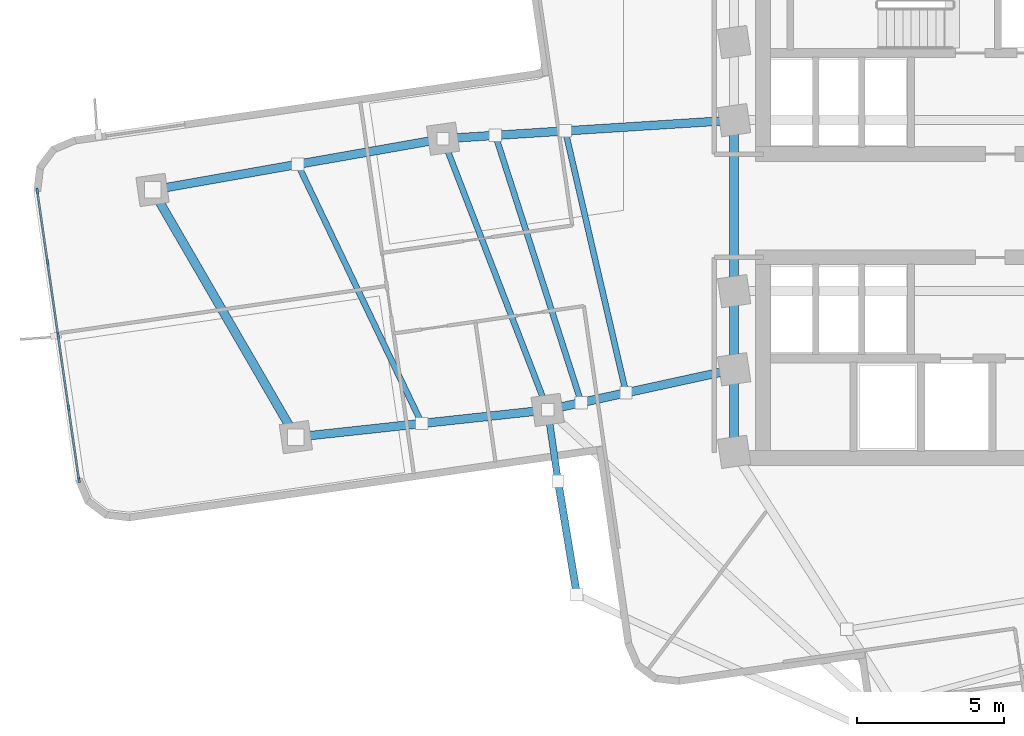
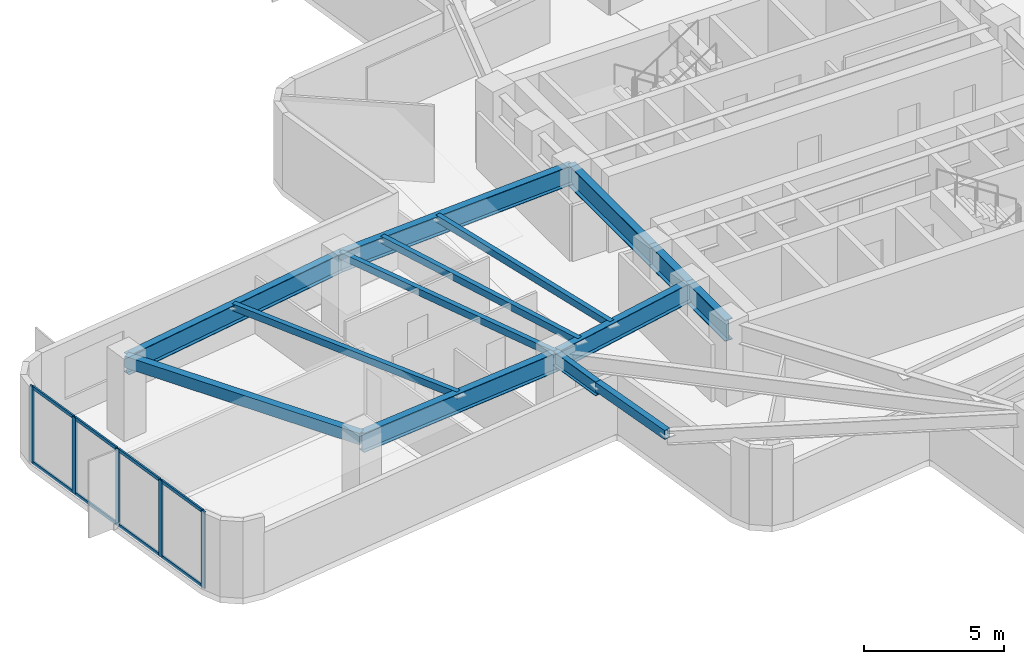
# One storey, part 2 of 13: 14 beams, 13 members, 1 element without a shape of its own.
"""IFC4 building model written with IfcOpenShell, lengths in metres."""

from ifc_helpers import new_model, si_unit, direction, frame, origin, origin_2d, place, context, subcontext, project, spatial, rectangle, hollow_rectangle, i_section, extrude, material, layer, layer_set, material_profile, profile_set, type_object, element, aggregate, save


model = new_model("IFC4")

# Units and contexts
model_context = context("Model", 3, precision=1e-05, world=origin(), true_north=direction((0.0, 1.0)))
body_context = subcontext(model_context, "Body", "Model", "MODEL_VIEW")
ifc_project = project(units=[si_unit("LENGTHUNIT", "METRE"), si_unit("AREAUNIT", "SQUARE_METRE"), si_unit("VOLUMEUNIT", "CUBIC_METRE"), si_unit("PLANEANGLEUNIT", "RADIAN"), si_unit("MASSUNIT", "GRAM", prefix="KILO")], contexts=[model_context])

# Site, building, storey
site_placement = place(None, origin())
site = spatial("IfcSite", under=ifc_project, at=site_placement, CompositionType="ELEMENT")
building_placement = place(site_placement, origin())
building = spatial("IfcBuilding", under=site, at=building_placement, Name="Solmarez Civic Tower", CompositionType="ELEMENT")
storey_placement = place(building_placement, frame((0.0, 0.0, 89.280029296875)))
storey = spatial("IfcBuildingStorey", under=building, at=storey_placement, Name="L23", CompositionType="ELEMENT", Elevation=89.280029296875)

# Beams
ifc_material_1 = material(Name="Steel S355", Category="steel")
ifc_material_profile_1 = material_profile(ifc_material_1, hollow_rectangle(XDim=0.199951171875, YDim=0.300048828125, WallThickness=0.011962890625, at=origin_2d()), Name="HSS300X200X12")
ifc_profile_set_1 = profile_set([ifc_material_profile_1], Name="Steel S355")
beam_type_1 = type_object("IfcBeamType", Name="BM-JS-HSS300X200", PredefinedType="JOIST", material=ifc_profile_set_1)
beam_1_placement = place(storey_placement, frame((-18.72412109375, 2.27099609375, 3.18994140625), z_axis=(0.359984466214, -0.932958297077, 0.0), x_axis=(0.932958297077, 0.359984466214, 0.0)))
element("IfcBeam", 1, at=beam_1_placement, inside=storey, type_object=beam_type_1, Name="L23 Secondary Floor Joist BM-L23-WA-T1", PredefinedType="JOIST", context=body_context, shape_type="SweptSolid", body=[
    extrude(hollow_rectangle(XDim=0.199951171875, YDim=0.300048828125, WallThickness=0.011962890625, at=origin_2d()), origin(), (0.0, 0.0, 1.0), 9.85888671875),
])
beam_2_placement = place(storey_placement, frame((-23.64990234375, 1.402099609375, 3.18994140625), z_axis=(0.431491843414, -0.902116837814, 0.0), x_axis=(0.902116837814, 0.431491843414, 0.0)))
element("IfcBeam", 2, at=beam_2_placement, inside=storey, type_object=beam_type_1, Name="L23 Secondary Floor Joist JS-L23-WA-M2", PredefinedType="JOIST", context=body_context, shape_type="SweptSolid", body=[
    extrude(hollow_rectangle(XDim=0.199951171875, YDim=0.300048828125, WallThickness=0.011962890625, at=origin_2d()), origin(), (0.0, 0.0, 1.0), 9.744873046875),
])
beam_3_placement = place(storey_placement, frame((-14.576904296875, 2.534912109375, 3.18994140625), z_axis=(0.225762717226, -0.974182321494, 0.0), x_axis=(0.974182321494, 0.225762717226, 0.0)))
element("IfcBeam", 3, at=beam_3_placement, inside=storey, type_object=beam_type_1, Name="L23 Secondary Floor Joist JS-L23-WA-M11", PredefinedType="JOIST", context=body_context, shape_type="SweptSolid", body=[
    extrude(hollow_rectangle(XDim=0.199951171875, YDim=0.300048828125, WallThickness=0.011962890625, at=origin_2d()), origin(), (0.0, 0.0, 1.0), 9.119384765625),
])
beam_4_placement = place(storey_placement, frame((-16.947021484375, 2.384033203125, 3.18994140625), z_axis=(0.305705295997, -0.952126184914, 0.0), x_axis=(0.952126184914, 0.305705295997, 0.0)))
element("IfcBeam", 4, at=beam_4_placement, inside=storey, type_object=beam_type_1, Name="L23 Secondary Floor Joist JS-L23-WA-M12", PredefinedType="JOIST", context=body_context, shape_type="SweptSolid", body=[
    extrude(hollow_rectangle(XDim=0.199951171875, YDim=0.300048828125, WallThickness=0.011962890625, at=origin_2d()), origin(), (0.0, 0.0, 1.0), 9.518798828125),
])
ifc_material_profile_2 = material_profile(ifc_material_1, i_section(OverallWidth=0.2919921875, OverallDepth=0.845947265625, WebThickness=0.015380859375, FlangeThickness=0.0244140625, at=origin_2d()), Name="W33X141")
ifc_profile_set_2 = profile_set([ifc_material_profile_2], Name="Steel S355")
beam_type_2 = type_object("IfcBeamType", Name="BM-PR-W33X141", PredefinedType="BEAM", material=ifc_profile_set_2)
beam_5_placement = place(storey_placement, frame((-8.85009765625, 2.89990234375, 2.9169921875), z_axis=(-0.997977751208, -0.063564204508, 0.0), x_axis=(0.063564204508, -0.997977751208, 0.0)))
element("IfcBeam", 5, at=beam_5_placement, inside=storey, type_object=beam_type_2, Name="L23 Primary Floor Beam BM-L23-WA-R1A", PredefinedType="BEAM", context=body_context, shape_type="SweptSolid", body=[
    extrude(i_section(OverallWidth=0.2919921875, OverallDepth=0.845947265625, WebThickness=0.015380859375, FlangeThickness=0.0244140625, at=origin_2d()), origin(), (0.0, 0.0, 1.0), 9.89404296875),
])
beam_6_placement = place(storey_placement, frame((-8.85009765625, -5.550048828125, 2.9169921875), z_axis=(-0.977113347202, -0.212719314402, 0.0), x_axis=(0.212719314402, -0.977113347202, 0.0)))
element("IfcBeam", 6, at=beam_6_placement, inside=storey, type_object=beam_type_2, Name="L23 Primary Floor Beam BM-L23-WA-R1B", PredefinedType="BEAM", context=body_context, shape_type="SweptSolid", body=[
    extrude(i_section(OverallWidth=0.2919921875, OverallDepth=0.845947265625, WebThickness=0.015380859375, FlangeThickness=0.0244140625, at=origin_2d()), origin(), (0.0, 0.0, 1.0), 6.47314453125),
])
beam_7_placement = place(storey_placement, frame((-18.72412109375, 2.27099609375, 2.9169921875), z_axis=(-0.984792402105, -0.173735214497, 0.0), x_axis=(0.173735214497, -0.984792402105, 0.0)))
element("IfcBeam", 7, at=beam_7_placement, inside=storey, type_object=beam_type_2, Name="L23 Primary Floor Beam BM-L23-WA-R2A", PredefinedType="BEAM", context=body_context, shape_type="SweptSolid", body=[
    extrude(i_section(OverallWidth=0.2919921875, OverallDepth=0.845947265625, WebThickness=0.015380859375, FlangeThickness=0.0244140625, at=origin_2d()), origin(), (0.0, 0.0, 1.0), 10.00390625),
])
beam_8_placement = place(storey_placement, frame((-15.175048828125, -6.927001953125, 2.9169921875), z_axis=(-0.994196782435, -0.107576753045, 0.0), x_axis=(0.107576753045, -0.994196782435, 0.0)))
element("IfcBeam", 8, at=beam_8_placement, inside=storey, type_object=beam_type_2, Name="L23 Primary Floor Beam BM-L23-WA-R2B", PredefinedType="BEAM", context=body_context, shape_type="SweptSolid", body=[
    extrude(i_section(OverallWidth=0.2919921875, OverallDepth=0.845947265625, WebThickness=0.015380859375, FlangeThickness=0.0244140625, at=origin_2d()), origin(), (0.0, 0.0, 1.0), 8.58984375),
])
ifc_material_profile_3 = material_profile(ifc_material_1, i_section(OverallWidth=0.306884765625, OverallDepth=0.927001953125, WebThickness=0.019287109375, FlangeThickness=0.031982421875, at=origin_2d()), Name="W36X194")
ifc_profile_set_3 = profile_set([ifc_material_profile_3], Name="Steel S355")
beam_type_3 = type_object("IfcBeamType", Name="BM-PR-W36X194", PredefinedType="BEAM", material=ifc_profile_set_3)
beam_9_placement = place(storey_placement, frame((-8.85009765625, -8.35009765625, 2.876953125), z_axis=(0.0, 1.0, 0.0), x_axis=(-1.0, 0.0, 0.0)))
element("IfcBeam", 9, at=beam_9_placement, inside=storey, type_object=beam_type_3, Name="L23 Primary Floor Beam BM-L23-HC12-HC1", PredefinedType="BEAM", context=body_context, shape_type="SweptSolid", body=[
    extrude(i_section(OverallWidth=0.306884765625, OverallDepth=0.927001953125, WebThickness=0.019287109375, FlangeThickness=0.031982421875, at=origin_2d()), origin(), (0.0, 0.0, 1.0), 2.800048828125),
])
beam_10_placement = place(storey_placement, frame((-8.85009765625, -5.550048828125, 2.876953125), z_axis=(0.0, 1.0, 0.0), x_axis=(-1.0, 0.0, 0.0)))
element("IfcBeam", 10, at=beam_10_placement, inside=storey, type_object=beam_type_3, Name="L23 Primary Floor Beam BM-L23-HC1-HC2", PredefinedType="BEAM", context=body_context, shape_type="SweptSolid", body=[
    extrude(i_section(OverallWidth=0.306884765625, OverallDepth=0.927001953125, WebThickness=0.019287109375, FlangeThickness=0.031982421875, at=origin_2d()), origin(), (0.0, 0.0, 1.0), 2.650146484375),
])
beam_11_placement = place(storey_placement, frame((-8.85009765625, -2.89990234375, 2.876953125), z_axis=(0.0, 1.0, 0.0), x_axis=(-1.0, 0.0, 0.0)))
element("IfcBeam", 11, at=beam_11_placement, inside=storey, type_object=beam_type_3, Name="L23 Primary Floor Beam BM-L23-HC2-HC3", PredefinedType="BEAM", context=body_context, shape_type="SweptSolid", body=[
    extrude(i_section(OverallWidth=0.306884765625, OverallDepth=0.927001953125, WebThickness=0.019287109375, FlangeThickness=0.031982421875, at=origin_2d()), origin(), (0.0, 0.0, 1.0), 5.7998046875),
])
ifc_material_profile_4 = material_profile(ifc_material_1, hollow_rectangle(XDim=0.25, YDim=0.39990234375, WallThickness=0.01611328125, at=origin_2d()), Name="HSS400X250X16")
ifc_profile_set_4 = profile_set([ifc_material_profile_4], Name="Steel S355")
beam_type_4 = type_object("IfcBeamType", Name="BM-SP-HSS400X250", PredefinedType="SPANDREL", material=ifc_profile_set_4)
beam_12_placement = place(storey_placement, frame((-14.822998046875, -9.345947265625, 3.139892578125), z_axis=(0.163302678934, -0.986576015851, 0.0), x_axis=(0.986576015851, 0.163302678934, 0.0)))
element("IfcBeam", 12, at=beam_12_placement, inside=storey, type_object=beam_type_4, Name="L23 Perimeter Spandrel Beam BM-L23-BALC-SWE", PredefinedType="SPANDREL", context=body_context, shape_type="SweptSolid", body=[
    extrude(hollow_rectangle(XDim=0.25, YDim=0.39990234375, WallThickness=0.01611328125, at=origin_2d()), origin(), (0.0, 0.0, 1.0), 3.900390625),
])
ifc_material_profile_5 = material_profile(ifc_material_1, hollow_rectangle(XDim=0.300048828125, YDim=0.5, WallThickness=0.02001953125, at=origin_2d()), Name="HSS500X300X20")
ifc_profile_set_5 = profile_set([ifc_material_profile_5], Name="Steel S355")
beam_type_5 = type_object("IfcBeamType", Name="BM-SP-HSS500X300", PredefinedType="SPANDREL", material=ifc_profile_set_5)
beam_13_placement = place(storey_placement, frame((-28.575927734375, 0.532958984375, 3.090087890625), z_axis=(0.501571424933, -0.865116238254, 0.0), x_axis=(0.865116238254, 0.501571424933, 0.0)))
element("IfcBeam", 13, at=beam_13_placement, inside=storey, type_object=beam_type_5, Name="L23 Perimeter Spandrel Beam BM-L23-WA-T2", PredefinedType="SPANDREL", context=body_context, shape_type="SweptSolid", body=[
    extrude(hollow_rectangle(XDim=0.300048828125, YDim=0.5, WallThickness=0.02001953125, at=origin_2d()), origin(), (0.0, 0.0, 1.0), 9.691162109375),
])
ifc_material_profile_6 = material_profile(ifc_material_1, i_section(OverallWidth=0.22900390625, OverallDepth=0.612060546875, WebThickness=0.011962890625, FlangeThickness=0.01953125, at=origin_2d()), Name="W24X84")
ifc_profile_set_6 = profile_set([ifc_material_profile_6], Name="Steel S355")
beam_type_6 = type_object("IfcBeamType", Name="BM-SP-W24X84", PredefinedType="SPANDREL", material=ifc_profile_set_6)
beam_14_placement = place(storey_placement, frame((-15.175048828125, -6.927001953125, 3.033935546875), z_axis=(0.144021647449, -0.989574537398, 0.0), x_axis=(0.989574537398, 0.144021647449, 0.0)))
element("IfcBeam", 14, at=beam_14_placement, inside=storey, type_object=beam_type_6, Name="L23 Perimeter Spandrel Beam BM-L23-BALC-SW1", PredefinedType="SPANDREL", context=body_context, shape_type="SweptSolid", body=[
    extrude(i_section(OverallWidth=0.22900390625, OverallDepth=0.612060546875, WebThickness=0.011962890625, FlangeThickness=0.01953125, at=origin_2d()), origin(), (0.0, 0.0, 1.0), 2.4443359375),
])

# Curtain wall, members
ifc_material_2 = material(Name="Bronze Anodised Aluminium EN AW-6063 T6", Category="aluminium")
ifc_layer = layer(ifc_material_2, 0.199951171875)
ifc_layer_set = layer_set([ifc_layer], Name="Bronze Anodised Aluminium EN AW-6063 T6")
curtain_wall_type = type_object("IfcCurtainWallType", Name="CW-SYS-1", PredefinedType="NOTDEFINED", material=ifc_layer_set)
curtain_wall_placement = place(storey_placement, origin())
curtain_wall = element("IfcCurtainWall", 15, at=curtain_wall_placement, inside=storey, type_object=curtain_wall_type, Name="L23 Stick-Built Curtain Wall 1", PredefinedType="NOTDEFINED")
ifc_material_profile_7 = material_profile(ifc_material_2, rectangle(XDim=0.074951171875, YDim=0.199951171875, at=origin_2d()), Name="CWM-75X200")
ifc_profile_set_7 = profile_set([ifc_material_profile_7], Name="Bronze Anodised Aluminium EN AW-6063 T6")
member_type_1 = type_object("IfcMemberType", Name="CWM-TYPE-1", PredefinedType="MULLION", material=ifc_profile_set_7)
member_1_placement = place(storey_placement, frame((-31.0712890625, -9.298828125, 0.0), z_axis=(0.0, 0.0, 1.0), x_axis=(-0.989766289702, -0.142697903871, 0.0)))
member_1 = element("IfcMember", 16, at=member_1_placement, type_object=member_type_1, Name="CWS1 mullion 1", PredefinedType="MULLION", context=body_context, shape_type="SweptSolid", body=[
    extrude(rectangle(XDim=0.074951171875, YDim=0.199951171875, at=origin_2d()), origin(), (0.0, 0.0, 1.0), 3.340087890625),
])
member_2_placement = place(storey_placement, frame((-31.422119140625, -6.86669921875, 0.0), z_axis=(0.0, 0.0, 1.0), x_axis=(-0.989766289702, -0.142697903871, 0.0)))
member_2 = element("IfcMember", 17, at=member_2_placement, type_object=member_type_1, Name="CWS1 mullion 2", PredefinedType="MULLION", context=body_context, shape_type="SweptSolid", body=[
    extrude(rectangle(XDim=0.074951171875, YDim=0.199951171875, at=origin_2d()), origin(), (0.0, 0.0, 1.0), 3.340087890625),
])
member_3_placement = place(storey_placement, frame((-31.778076171875, -4.3974609375, 0.0), z_axis=(0.0, 0.0, 1.0), x_axis=(-0.989766289702, -0.142697903871, 0.0)))
member_3 = element("IfcMember", 18, at=member_3_placement, type_object=member_type_1, Name="CWS1 mullion 3", PredefinedType="MULLION", context=body_context, shape_type="SweptSolid", body=[
    extrude(rectangle(XDim=0.074951171875, YDim=0.199951171875, at=origin_2d()), origin(), (0.0, 0.0, 1.0), 3.340087890625),
])
member_4_placement = place(storey_placement, frame((-32.134033203125, -1.92822265625, 0.0), z_axis=(0.0, 0.0, 1.0), x_axis=(-0.989766289702, -0.142697903871, 0.0)))
member_4 = element("IfcMember", 19, at=member_4_placement, type_object=member_type_1, Name="CWS1 mullion 4", PredefinedType="MULLION", context=body_context, shape_type="SweptSolid", body=[
    extrude(rectangle(XDim=0.074951171875, YDim=0.199951171875, at=origin_2d()), origin(), (0.0, 0.0, 1.0), 3.340087890625),
])
member_5_placement = place(storey_placement, frame((-32.484619140625, 0.50390625, 0.0), z_axis=(0.0, 0.0, 1.0), x_axis=(-0.989766289702, -0.142697903871, 0.0)))
member_5 = element("IfcMember", 20, at=member_5_placement, type_object=member_type_1, Name="CWS1 mullion 5", PredefinedType="MULLION", context=body_context, shape_type="SweptSolid", body=[
    extrude(rectangle(XDim=0.074951171875, YDim=0.199951171875, at=origin_2d()), origin(), (0.0, 0.0, 1.0), 3.340087890625),
])
ifc_material_profile_8 = material_profile(ifc_material_2, rectangle(XDim=0.070068359375, YDim=0.139892578125, at=origin_2d()), Name="CWT-70X140")
ifc_profile_set_8 = profile_set([ifc_material_profile_8], Name="Bronze Anodised Aluminium EN AW-6063 T6")
member_type_2 = type_object("IfcMemberType", Name="CWT-TYPE-1", PredefinedType="USERDEFINED", material=ifc_profile_set_8)
member_6_placement = place(storey_placement, frame((-31.07666015625, -9.26171875, 0.034912109375), z_axis=(-0.142755525656, 0.989757980465, 0.0), x_axis=(-0.989757980465, -0.142755525656, 0.0)))
member_6 = element("IfcMember", 21, at=member_6_placement, type_object=member_type_2, Name="CWS1 transom 1.1", ObjectType="TRANSOM", PredefinedType="USERDEFINED", context=body_context, shape_type="SweptSolid", body=[
    extrude(rectangle(XDim=0.070068359375, YDim=0.139892578125, at=origin_2d()), origin(), (0.0, 0.0, 1.0), 2.38232421875),
])
member_7_placement = place(storey_placement, frame((-31.07666015625, -9.26171875, 3.304931640625), z_axis=(-0.142755525656, 0.989757980465, 0.0), x_axis=(-0.989757980465, -0.142755525656, 0.0)))
member_7 = element("IfcMember", 22, at=member_7_placement, type_object=member_type_2, Name="CWS1 transom 1.2", ObjectType="TRANSOM", PredefinedType="USERDEFINED", context=body_context, shape_type="SweptSolid", body=[
    extrude(rectangle(XDim=0.070068359375, YDim=0.139892578125, at=origin_2d()), origin(), (0.0, 0.0, 1.0), 2.38232421875),
])
member_8_placement = place(storey_placement, frame((-31.42724609375, -6.82958984375, 0.034912109375), z_axis=(-0.142763098549, 0.989756888176, 0.0), x_axis=(-0.989756888176, -0.142763098549, 0.0)))
member_8 = element("IfcMember", 23, at=member_8_placement, type_object=member_type_2, Name="CWS1 transom 2.1", ObjectType="TRANSOM", PredefinedType="USERDEFINED", context=body_context, shape_type="SweptSolid", body=[
    extrude(rectangle(XDim=0.070068359375, YDim=0.139892578125, at=origin_2d()), origin(), (0.0, 0.0, 1.0), 2.419921875),
])
member_9_placement = place(storey_placement, frame((-31.42724609375, -6.82958984375, 3.304931640625), z_axis=(-0.142763098549, 0.989756888176, 0.0), x_axis=(-0.989756888176, -0.142763098549, 0.0)))
member_9 = element("IfcMember", 24, at=member_9_placement, type_object=member_type_2, Name="CWS1 transom 2.2", ObjectType="TRANSOM", PredefinedType="USERDEFINED", context=body_context, shape_type="SweptSolid", body=[
    extrude(rectangle(XDim=0.070068359375, YDim=0.139892578125, at=origin_2d()), origin(), (0.0, 0.0, 1.0), 2.419921875),
])
member_10_placement = place(storey_placement, frame((-31.783447265625, -4.3603515625, 0.034912109375), z_axis=(-0.142664260089, 0.989771139655, 0.0), x_axis=(-0.989771139655, -0.142664260089, 0.0)))
member_10 = element("IfcMember", 25, at=member_10_placement, type_object=member_type_2, Name="CWS1 transom 3.1", ObjectType="TRANSOM", PredefinedType="USERDEFINED", context=body_context, shape_type="SweptSolid", body=[
    extrude(rectangle(XDim=0.070068359375, YDim=0.139892578125, at=origin_2d()), origin(), (0.0, 0.0, 1.0), 2.419677734375),
])
member_11_placement = place(storey_placement, frame((-31.783447265625, -4.3603515625, 3.304931640625), z_axis=(-0.142664260089, 0.989771139655, 0.0), x_axis=(-0.989771139655, -0.142664260089, 0.0)))
member_11 = element("IfcMember", 26, at=member_11_placement, type_object=member_type_2, Name="CWS1 transom 3.2", ObjectType="TRANSOM", PredefinedType="USERDEFINED", context=body_context, shape_type="SweptSolid", body=[
    extrude(rectangle(XDim=0.070068359375, YDim=0.139892578125, at=origin_2d()), origin(), (0.0, 0.0, 1.0), 2.419677734375),
])
member_12_placement = place(storey_placement, frame((-32.139404296875, -1.89111328125, 0.034912109375), z_axis=(-0.142655131285, 0.989772455425, 0.0), x_axis=(-0.989772455425, -0.142655131285, 0.0)))
member_12 = element("IfcMember", 27, at=member_12_placement, type_object=member_type_2, Name="CWS1 transom 4.1", ObjectType="TRANSOM", PredefinedType="USERDEFINED", context=body_context, shape_type="SweptSolid", body=[
    extrude(rectangle(XDim=0.070068359375, YDim=0.139892578125, at=origin_2d()), origin(), (0.0, 0.0, 1.0), 2.38232421875),
])
member_13_placement = place(storey_placement, frame((-32.139404296875, -1.89111328125, 3.304931640625), z_axis=(-0.142655131285, 0.989772455425, 0.0), x_axis=(-0.989772455425, -0.142655131285, 0.0)))
member_13 = element("IfcMember", 28, at=member_13_placement, type_object=member_type_2, Name="CWS1 transom 4.2", ObjectType="TRANSOM", PredefinedType="USERDEFINED", context=body_context, shape_type="SweptSolid", body=[
    extrude(rectangle(XDim=0.070068359375, YDim=0.139892578125, at=origin_2d()), origin(), (0.0, 0.0, 1.0), 2.38232421875),
])
aggregate(curtain_wall, [member_1, member_2, member_3, member_4, member_5, member_6, member_7, member_8, member_9, member_10, member_11, member_12, member_13])

save(model, "model.ifc")
